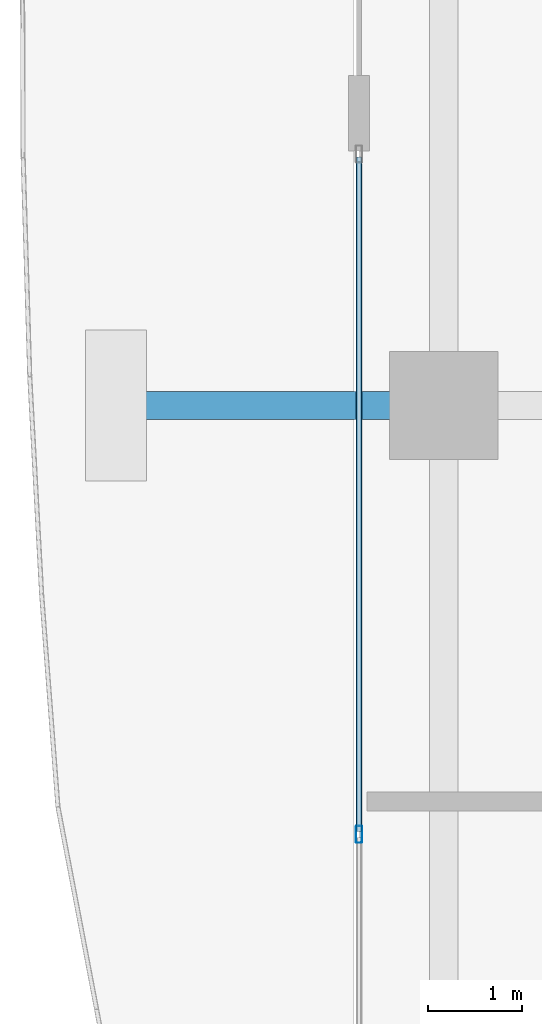
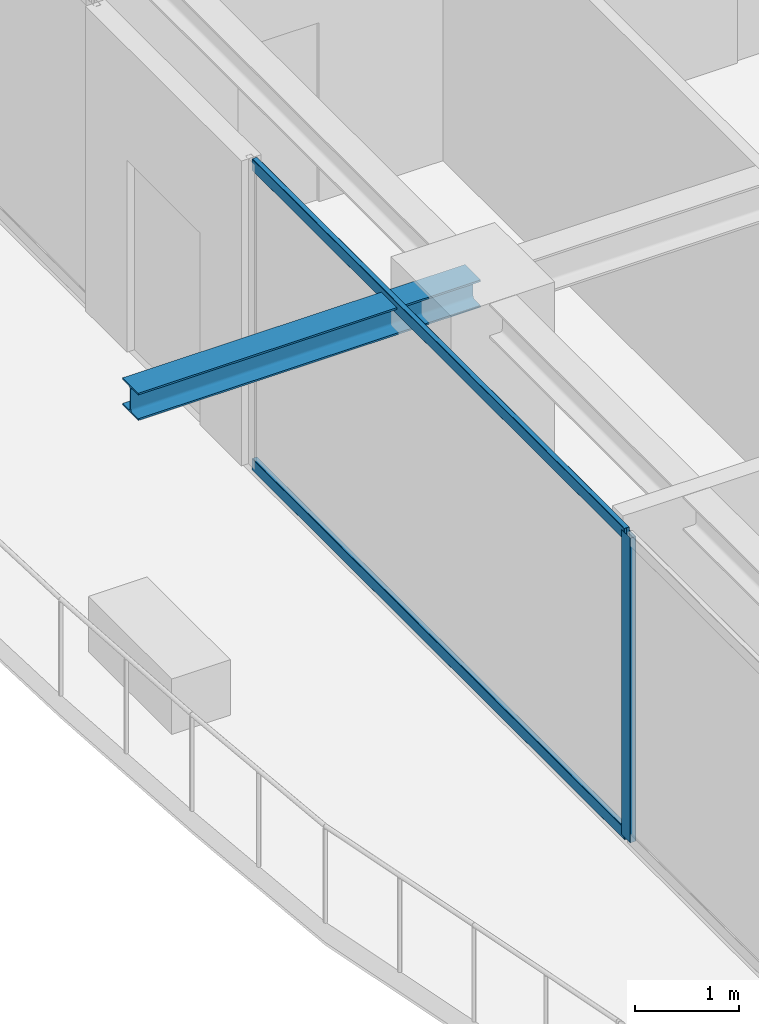
# One storey, part 7 of 35: 3 members, 1 beam, 1 element without a shape of its own.
"""IFC4 building model written with IfcOpenShell, lengths in metres."""

from ifc_helpers import new_model, si_unit, direction, frame, origin, origin_2d, place, context, subcontext, project, spatial, hollow_rectangle, i_section, extrude, source, transform, mapped, material, layer, layer_set, material_profile, profile_set, type_object, element, aggregate, save


model = new_model("IFC4")

# Units and contexts
model_context = context("Model", 3, precision=1e-05, world=origin(), true_north=direction((0.0, 1.0)))
body_context = subcontext(model_context, "Body", "Model", "MODEL_VIEW")
ifc_project = project(units=[si_unit("LENGTHUNIT", "METRE"), si_unit("AREAUNIT", "SQUARE_METRE"), si_unit("VOLUMEUNIT", "CUBIC_METRE"), si_unit("PLANEANGLEUNIT", "RADIAN"), si_unit("MASSUNIT", "GRAM", prefix="KILO")], contexts=[model_context])

# Site, building, storey
site_placement = place(None, origin())
site = spatial("IfcSite", under=ifc_project, at=site_placement, CompositionType="ELEMENT")
building_placement = place(site_placement, origin())
building = spatial("IfcBuilding", under=site, at=building_placement, Name="Serunith Strait Residences", CompositionType="ELEMENT")
storey_placement = place(building_placement, frame((0.0, 0.0, 210.449951171875)))
storey = spatial("IfcBuildingStorey", under=building, at=storey_placement, Name="L52", CompositionType="ELEMENT", Elevation=210.449951171875)

# Beam
ifc_material_1 = material(Name="Steel S355J2", Category="steel")
ifc_material_profile_1 = material_profile(ifc_material_1, i_section(OverallWidth=0.300048828125, OverallDepth=0.320068359375, WebThickness=0.011474609375, FlangeThickness=0.0205078125, FilletRadius=0.027099609375, at=origin_2d()), Name="HEB 320")
ifc_profile_set_1 = profile_set([ifc_material_profile_1], Name="Steel S355J2")
beam_type = type_object("IfcBeamType", Name="BM-HEB320", PredefinedType="BEAM", material=ifc_profile_set_1)
shared_shape_1 = source(origin(), body_context, "Body", "SweptSolid", [
    extrude(i_section(OverallWidth=0.300048828125, OverallDepth=0.320068359375, WebThickness=0.011474609375, FlangeThickness=0.0205078125, FilletRadius=0.027099609375, at=origin_2d()), origin(), (0.0, 0.0, 1.0), 3.800048828125),
])
beam_placement = place(storey_placement, frame((8.300048828125, 21.0, 3.39697265625), z_axis=(-1.0, 0.0, 0.0), x_axis=(0.0, -1.0, 0.0)))
element("IfcBeam", 1, at=beam_placement, inside=storey, type_object=beam_type, Name="L53 Cantilevered Balcony Rib TC-W2", PredefinedType="BEAM", context=body_context, shape_type="MappedRepresentation", body=[
    mapped(shared_shape_1, transform((0.0, 0.0, 0.0), scale=1.0)),
])

# Curtain wall, members
ifc_material_2 = material(Name="Pale-Champagne Anodised Aluminium", Category="aluminium")
ifc_layer = layer(ifc_material_2, 0.199951171875, Name="Pale-Champagne Anodised Aluminium")
ifc_layer_set = layer_set([ifc_layer], Name="Pale-Champagne Anodised Aluminium")
curtain_wall_type = type_object("IfcCurtainWallType", Name="CW-SYS4", PredefinedType="NOTDEFINED", material=ifc_layer_set)
curtain_wall_placement = place(storey_placement, origin())
curtain_wall = element("IfcCurtainWall", 2, at=curtain_wall_placement, inside=storey, type_object=curtain_wall_type, Name="L52 W Unitised Fritted Curtain Wall", PredefinedType="NOTDEFINED")
ifc_material_profile_2 = material_profile(ifc_material_2, hollow_rectangle(XDim=0.06494140625, YDim=0.179931640625, WallThickness=0.00341796875, InnerFilletRadius=0.00537109375, OuterFilletRadius=0.0087890625, at=origin_2d()), Name="ALU 180x65x3.5")
ifc_profile_set_2 = profile_set([ifc_material_profile_2], Name="Pale-Champagne Anodised Aluminium")
member_type_1 = type_object("IfcMemberType", Name="CW-SYS4-MULL", PredefinedType="MULLION", material=ifc_profile_set_2)
shared_shape_2 = source(origin(), body_context, "Body", "SweptSolid", [
    extrude(hollow_rectangle(XDim=0.06494140625, YDim=0.179931640625, WallThickness=0.00341796875, InnerFilletRadius=0.00537109375, OuterFilletRadius=0.0087890625, at=origin_2d()), origin(), (0.0, 0.0, 1.0), 3.574951171875),
])
member_1_placement = place(storey_placement, frame((7.39990234375, 16.449951171875, 0.0), z_axis=(0.0, 0.0, 1.0), x_axis=(1.0, 0.0, 0.0)))
member_1 = element("IfcMember", 3, at=member_1_placement, type_object=member_type_1, Name="CW-4 mullion 2", PredefinedType="MULLION", context=body_context, shape_type="MappedRepresentation", body=[
    mapped(shared_shape_2, transform((0.0, 0.0, 0.0), scale=1.0)),
])
ifc_material_profile_3 = material_profile(ifc_material_2, hollow_rectangle(XDim=0.06005859375, YDim=0.139892578125, WallThickness=0.00341796875, InnerFilletRadius=0.00537109375, OuterFilletRadius=0.0087890625, at=origin_2d()), Name="ALU 140x60x3.5")
ifc_profile_set_3 = profile_set([ifc_material_profile_3], Name="Pale-Champagne Anodised Aluminium")
member_type_2 = type_object("IfcMemberType", Name="CW-SYS4-TRAN", PredefinedType="USERDEFINED", material=ifc_profile_set_3)
shared_shape_3 = source(origin(), body_context, "Body", "SweptSolid", [
    extrude(hollow_rectangle(XDim=0.06005859375, YDim=0.139892578125, WallThickness=0.00341796875, InnerFilletRadius=0.00537109375, OuterFilletRadius=0.0087890625, at=origin_2d()), origin(), (0.0, 0.0, 1.0), 7.152587890625),
])
member_2_placement = place(storey_placement, frame((7.39990234375, 23.635009765625, 0.030029296875), z_axis=(0.0, -1.0, 0.0), x_axis=(1.0, 0.0, 0.0)))
member_2 = element("IfcMember", 4, at=member_2_placement, type_object=member_type_2, Name="CW-4 transom 1.1", ObjectType="TRANSOM", PredefinedType="USERDEFINED", context=body_context, shape_type="MappedRepresentation", body=[
    mapped(shared_shape_3, transform((0.0, 0.0, 0.0), scale=1.0)),
])
member_3_placement = place(storey_placement, frame((7.39990234375, 23.635009765625, 3.545166015625), z_axis=(0.0, -1.0, 0.0), x_axis=(1.0, 0.0, 0.0)))
member_3 = element("IfcMember", 5, at=member_3_placement, type_object=member_type_2, Name="CW-4 transom 1.2", ObjectType="TRANSOM", PredefinedType="USERDEFINED", context=body_context, shape_type="MappedRepresentation", body=[
    mapped(shared_shape_3, transform((0.0, 0.0, 0.0), scale=1.0)),
])
aggregate(curtain_wall, [member_1, member_2, member_3])

save(model, "model.ifc")
